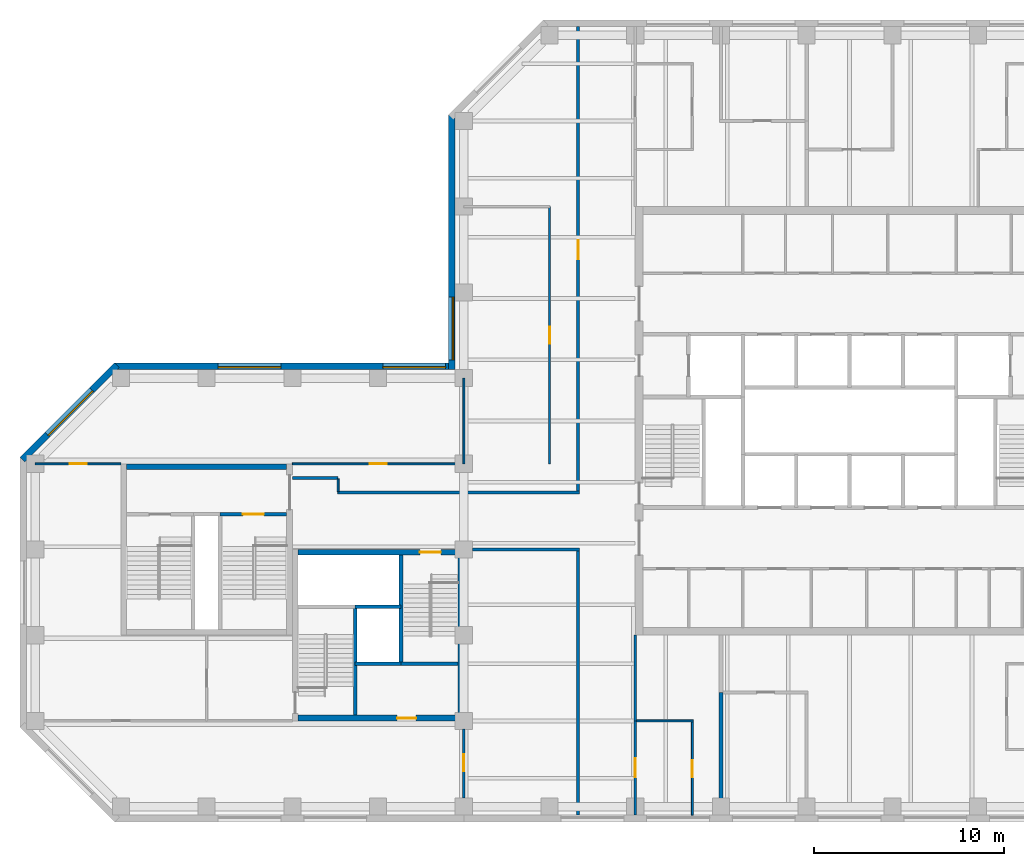
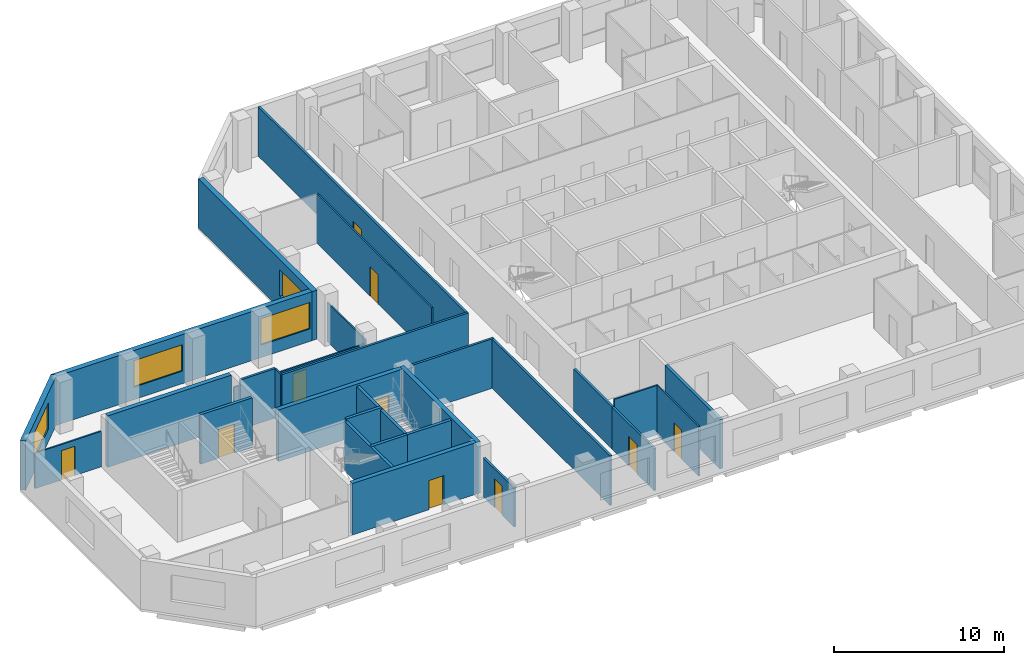
# One storey, part 3 of 9: 29 walls, 10 doors, 4 windows, 14 openings.
"""IFC4 building model written with IfcOpenShell, lengths in metres."""

from ifc_helpers import new_model, si_unit, direction, frame, frame_2d, origin, place, context, subcontext, project, spatial, rectangle, extrude, material, layer, layer_set, constituent, constituent_set, type_object, element, fill, save


model = new_model("IFC4")

# Units and contexts
model_context = context("Model", 3, precision=1e-05, world=origin(), true_north=direction((0.0, 1.0)))
body_context = subcontext(model_context, "Body", "Model", "MODEL_VIEW")
ifc_project = project(units=[si_unit("LENGTHUNIT", "METRE"), si_unit("AREAUNIT", "SQUARE_METRE"), si_unit("VOLUMEUNIT", "CUBIC_METRE"), si_unit("PLANEANGLEUNIT", "RADIAN"), si_unit("MASSUNIT", "GRAM", prefix="KILO")], contexts=[model_context])

# Site, building, storey
site_placement = place(None, origin())
site = spatial("IfcSite", under=ifc_project, at=site_placement, CompositionType="ELEMENT")
building_placement = place(site_placement, origin())
building = spatial("IfcBuilding", under=site, at=building_placement, Name="Quoin Convention Tower", CompositionType="ELEMENT")
storey_placement = place(building_placement, frame((0.0, 0.0, 226.699951171875)))
storey = spatial("IfcBuildingStorey", under=building, at=storey_placement, Name="L59", CompositionType="ELEMENT", Elevation=226.699951171875)

# Wall, opening, window
ifc_material_1 = material(Name="Brick masonry", Category="masonry")
ifc_layer_1 = layer(ifc_material_1, 0.35009765625)
ifc_layer_set_1 = layer_set([ifc_layer_1], Name="Brick masonry")
wall_type_1 = type_object("IfcWallType", Name="Brick facade wall", PredefinedType="STANDARD", material=ifc_layer_set_1)
wall_1_placement = place(storey_placement, frame((35.375, 76.831298828125, 0.0), z_axis=(0.0, 0.0, 1.0), x_axis=(0.0, -1.0, 0.0)))
wall_1 = element("IfcWall", 1, at=wall_1_placement, inside=storey, type_object=wall_type_1, Name="fw-L59-36000_76500", PredefinedType="STANDARD", context=body_context, shape_type="SweptSolid", body=[
    extrude(rectangle(XDim=13.38134765625, YDim=0.35009765625, at=frame_2d((6.690673828125, 0.0))), origin(), (0.0, 0.0, 1.0), 3.525146484375),
])
opening_1_placement = place(wall_1_placement, frame((9.581298828125, 0.0, 0.89990234375)))
opening_1 = element("IfcOpeningElement", 2, at=opening_1_placement, cuts=wall_1, Name="Opening W-02", PredefinedType="OPENING", context=body_context, shape_type="SweptSolid", body=[
    extrude(rectangle(XDim=3.300048828125, YDim=1.89990234375, at=frame_2d((1.64990234375, 0.949951171875))), frame((0.0, 0.18505859375, 0.0), z_axis=(0.0, -1.0, 0.0), x_axis=(1.0, 0.0, 0.0)), (0.0, 0.0, 1.0), 0.3701171875),
])
ifc_material_2 = material(Name="Aluminium", Category="aluminium")
ifc_constituent_1 = constituent(ifc_material_2, Name="Frame")
ifc_material_3 = material(Name="Insulated glass", Category="glass")
ifc_constituent_2 = constituent(ifc_material_3, Name="Glazing")
ifc_constituent_set = constituent_set(constituents=[ifc_constituent_1, ifc_constituent_2], Name="Aluminium")
window_type = type_object("IfcWindowType", Name="Office window", PartitioningType="DOUBLE_PANEL_VERTICAL", PredefinedType="WINDOW", material=ifc_constituent_set)
window_1_placement = place(opening_1_placement, origin())
window_1 = element("IfcWindow", 3, at=window_1_placement, inside=storey, type_object=window_type, Name="win-L59-35375_65250", OverallHeight=1.89990234375, OverallWidth=3.300048828125, PartitioningType="SINGLE_PANEL", PredefinedType="WINDOW", context=body_context, shape_type="SweptSolid", body=[
    extrude(rectangle(XDim=3.300048828125, YDim=1.89990234375, at=frame_2d((1.64990234375, 0.949951171875))), frame((0.0, 0.0849609375, 0.0), z_axis=(0.0, -1.0, 0.0), x_axis=(1.0, 0.0, 0.0)), (0.0, 0.0, 1.0), 0.06005859375),
])
fill(opening_1, window_1)

# Wall, openings, windows
wall_2_placement = place(storey_placement, frame((35.550048828125, 63.625, 0.0), z_axis=(0.0, 0.0, 1.0), x_axis=(-1.0, 0.0, 0.0)))
wall_2 = element("IfcWall", 4, at=wall_2_placement, inside=storey, type_object=wall_type_1, Name="fw-L59-36000_63000", PredefinedType="STANDARD", context=body_context, shape_type="SweptSolid", body=[
    extrude(rectangle(XDim=17.88134765625, YDim=0.35009765625, at=frame_2d((8.940673828125, 0.0))), origin(), (0.0, 0.0, 1.0), 3.525146484375),
])
opening_2_placement = place(wall_2_placement, frame((0.5, 0.0, 0.89990234375)))
opening_2 = element("IfcOpeningElement", 5, at=opening_2_placement, cuts=wall_2, Name="Opening W-02", PredefinedType="OPENING", context=body_context, shape_type="SweptSolid", body=[
    extrude(rectangle(XDim=3.300048828125, YDim=1.89990234375, at=frame_2d((1.64990234375, 0.949951171875))), frame((0.0, 0.18505859375, 0.0), z_axis=(0.0, -1.0, 0.0), x_axis=(1.0, 0.0, 0.0)), (0.0, 0.0, 1.0), 0.3701171875),
])
opening_3_placement = place(wall_2_placement, frame((9.14990234375, 0.0, 0.89990234375)))
opening_3 = element("IfcOpeningElement", 6, at=opening_3_placement, cuts=wall_2, Name="Opening W-02", PredefinedType="OPENING", context=body_context, shape_type="SweptSolid", body=[
    extrude(rectangle(XDim=3.300048828125, YDim=1.89990234375, at=frame_2d((1.64990234375, 0.949951171875))), frame((0.0, 0.18505859375, 0.0), z_axis=(0.0, -1.0, 0.0), x_axis=(1.0, 0.0, 0.0)), (0.0, 0.0, 1.0), 0.3701171875),
])
window_2_placement = place(opening_2_placement, origin())
window_2 = element("IfcWindow", 7, at=window_2_placement, inside=storey, type_object=window_type, Name="win-L59-33750_63625", OverallHeight=1.89990234375, OverallWidth=3.300048828125, PartitioningType="SINGLE_PANEL", PredefinedType="WINDOW", context=body_context, shape_type="SweptSolid", body=[
    extrude(rectangle(XDim=3.300048828125, YDim=1.89990234375, at=frame_2d((1.64990234375, 0.949951171875))), frame((0.0, 0.0849609375, 0.0), z_axis=(0.0, -1.0, 0.0), x_axis=(1.0, 0.0, 0.0)), (0.0, 0.0, 1.0), 0.06005859375),
])
fill(opening_2, window_2)
window_3_placement = place(opening_3_placement, origin())
window_3 = element("IfcWindow", 8, at=window_3_placement, inside=storey, type_object=window_type, Name="win-L59-24750_63625", OverallHeight=1.89990234375, OverallWidth=3.300048828125, PartitioningType="SINGLE_PANEL", PredefinedType="WINDOW", context=body_context, shape_type="SweptSolid", body=[
    extrude(rectangle(XDim=3.300048828125, YDim=1.89990234375, at=frame_2d((1.64990234375, 0.949951171875))), frame((0.0, 0.0849609375, 0.0), z_axis=(0.0, -1.0, 0.0), x_axis=(1.0, 0.0, 0.0)), (0.0, 0.0, 1.0), 0.06005859375),
])
fill(opening_3, window_3)

# Wall, opening, window
wall_3_placement = place(storey_placement, frame((17.79248046875, 63.67626953125, 0.0), z_axis=(0.0, 0.0, 1.0), x_axis=(-0.707106781187, -0.707106781187, 0.0)))
wall_3 = element("IfcWall", 9, at=wall_3_placement, inside=storey, type_object=wall_type_1, Name="fw-L59-18000_63000", PredefinedType="STANDARD", context=body_context, shape_type="SweptSolid", body=[
    extrude(rectangle(XDim=7.02685546875, YDim=0.35009765625, at=frame_2d((3.513427734375, 0.0))), origin(), (0.0, 0.0, 1.0), 3.525146484375),
])
opening_4_placement = place(wall_3_placement, frame((1.86328125, 0.0, 0.89990234375)))
opening_4 = element("IfcOpeningElement", 10, at=opening_4_placement, cuts=wall_3, Name="Opening W-02", PredefinedType="OPENING", context=body_context, shape_type="SweptSolid", body=[
    extrude(rectangle(XDim=3.300048828125, YDim=1.89990234375, at=frame_2d((1.64990234375, 0.949951171875))), frame((0.0, 0.18505859375, 0.0), z_axis=(0.0, -1.0, 0.0), x_axis=(1.0, 0.0, 0.0)), (0.0, 0.0, 1.0), 0.3701171875),
])
window_4_placement = place(opening_4_placement, origin())
window_4 = element("IfcWindow", 11, at=window_4_placement, inside=storey, type_object=window_type, Name="win-L59-15308_61192", OverallHeight=1.89990234375, OverallWidth=3.300048828125, PartitioningType="SINGLE_PANEL", PredefinedType="WINDOW", context=body_context, shape_type="SweptSolid", body=[
    extrude(rectangle(XDim=3.300048828125, YDim=1.89990234375, at=frame_2d((1.64990234375, 0.949951171875))), frame((0.0, 0.0849609375, 0.0), z_axis=(0.0, -1.0, 0.0), x_axis=(1.0, 0.0, 0.0)), (0.0, 0.0, 1.0), 0.06005859375),
])
fill(opening_4, window_4)

# Walls
ifc_material_4 = material(Name="Concrete C50", Category="concrete")
ifc_layer_2 = layer(ifc_material_4, 0.199951171875)
ifc_layer_set_2 = layer_set([ifc_layer_2], Name="Concrete C50")
wall_type_2 = type_object("IfcWallType", Name="Core shaft wall", PredefinedType="SOLIDWALL", material=ifc_layer_set_2)
wall_4_placement = place(storey_placement, frame((30.300048828125, 48.0, 0.0), z_axis=(0.0, 0.0, 1.0), x_axis=(1.0, 0.0, 0.0)))
element("IfcWall", 12, at=wall_4_placement, inside=storey, type_object=wall_type_2, Name="cr-P2-L59-h3000_3300", PredefinedType="SOLIDWALL", context=body_context, shape_type="SweptSolid", body=[
    extrude(rectangle(XDim=2.39990234375, YDim=0.199951171875, at=frame_2d((1.199951171875, 0.0))), origin(), (0.0, 0.0, 1.0), 3.550048828125),
])
wall_5_placement = place(storey_placement, frame((32.699951171875, 48.0, 0.0), z_axis=(0.0, 0.0, 1.0), x_axis=(1.0, 0.0, 0.0)))
element("IfcWall", 13, at=wall_5_placement, inside=storey, type_object=wall_type_2, Name="cr-P2-L59-h3000_5700", PredefinedType="SOLIDWALL", context=body_context, shape_type="SweptSolid", body=[
    extrude(rectangle(XDim=3.0, YDim=0.199951171875, at=frame_2d((1.5, 0.0))), origin(), (0.0, 0.0, 1.0), 3.550048828125),
])
for number, where, z_axis, x_axis, name in (
    (14, (30.300048828125, 45.300048828125, 0.0), (0.0, 0.0, 1.0), (0.0, 1.0, 0.0), "cr-P2-L59-v3300_300"),
    (15, (32.699951171875, 48.0, 0.0), (0.0, 0.0, 1.0), (0.0, 1.0, 0.0), "cr-P2-L59-v5700_3000"),
):
    element("IfcWall", number, at=place(storey_placement, frame(where, z_axis=z_axis, x_axis=x_axis)), inside=storey, type_object=wall_type_2, Name=name, PredefinedType="SOLIDWALL", context=body_context, shape_type="SweptSolid", body=[
        extrude(rectangle(XDim=5.699951171875, YDim=0.199951171875, at=frame_2d((2.85009765625, 0.0))), origin(), (0.0, 0.0, 1.0), 3.550048828125),
    ])

# Wall, opening, door
wall_6_placement = place(storey_placement, frame((23.199951171875, 55.85009765625, 0.0), z_axis=(0.0, 0.0, 1.0), x_axis=(1.0, 0.0, 0.0)))
wall_6 = element("IfcWall", 16, at=wall_6_placement, inside=storey, type_object=wall_type_2, Name="cr-P6-L59-h6350_5200", PredefinedType="SOLIDWALL", context=body_context, shape_type="SweptSolid", body=[
    extrude(rectangle(XDim=3.5, YDim=0.199951171875, at=frame_2d((1.75, 0.0))), origin(), (0.0, 0.0, 1.0), 3.550048828125),
])
opening_5_placement = place(wall_6_placement, frame((1.199951171875, 0.0, 0.0)))
opening_5 = element("IfcOpeningElement", 17, at=opening_5_placement, cuts=wall_6, Name="Opening SD12", PredefinedType="OPENING", context=body_context, shape_type="SweptSolid", body=[
    extrude(rectangle(XDim=1.10009765625, YDim=2.10009765625, at=frame_2d((0.550048828125, 1.050048828125))), frame((0.0, 0.10986328125, 0.0), z_axis=(0.0, -1.0, 0.0), x_axis=(1.0, 0.0, 0.0)), (0.0, 0.0, 1.0), 0.219970703125),
])
ifc_material_5 = material(Name="Steel door leaf", Category="steel")
door_type_1 = type_object("IfcDoorType", Name="Stair door 1100 x 2100", OperationType="SINGLE_SWING_RIGHT", PredefinedType="DOOR", material=ifc_material_5)
door_1_placement = place(opening_5_placement, origin())
door_1 = element("IfcDoor", 18, at=door_1_placement, inside=storey, type_object=door_type_1, Name="cd-P6-L59-SB-R2-SD12", OperationType="SINGLE_SWING_RIGHT", OverallHeight=2.10009765625, OverallWidth=1.10009765625, PredefinedType="DOOR", context=body_context, shape_type="SweptSolid", body=[
    extrude(rectangle(XDim=1.10009765625, YDim=2.10009765625, at=frame_2d((0.550048828125, 1.050048828125))), frame((0.0, 0.02490234375, 0.0), z_axis=(0.0, -1.0, 0.0), x_axis=(1.0, 0.0, 0.0)), (0.0, 0.0, 1.0), 0.050048828125),
])
fill(opening_5, door_1)

# Walls
ifc_layer_3 = layer(ifc_material_4, 0.199951171875)
ifc_layer_set_3 = layer_set([ifc_layer_3], Name="Concrete C50")
wall_type_3 = type_object("IfcWallType", Name="Core shaft wall to the floor level over", PredefinedType="SOLIDWALL", material=ifc_layer_set_3)
wall_7_placement = place(storey_placement, frame((30.300048828125, 51.0, 0.0), z_axis=(0.0, 0.0, 1.0), x_axis=(1.0, 0.0, 0.0)))
element("IfcWall", 19, at=wall_7_placement, inside=storey, type_object=wall_type_3, Name="cr-P2-L59-h6000_3300", PredefinedType="SOLIDWALL", context=body_context, shape_type="SweptSolid", body=[
    extrude(rectangle(XDim=2.39990234375, YDim=0.199951171875, at=frame_2d((1.199951171875, 0.0))), origin(), (0.0, 0.0, 1.0), 3.699951171875),
])
ifc_material_6 = material(Name="Plasterboard")
ifc_layer_4 = layer(ifc_material_6, 0.012451171875, Name="Finish")
ifc_material_7 = material(Name="Steel stud framing", Category="steel")
ifc_layer_5 = layer(ifc_material_7, 0.125, Name="Structure")
ifc_layer_6 = layer(ifc_material_6, 0.012451171875, Name="Finish")
ifc_layer_set_4 = layer_set([ifc_layer_4, ifc_layer_5, ifc_layer_6], Name="Steel stud framing")
wall_type_4 = type_object("IfcWallType", Name="Corridor wall 150", PredefinedType="PARTITIONING", material=ifc_layer_set_4)
wall_8_placement = place(storey_placement, frame((36.449951171875, 54.0, 0.0), z_axis=(0.0, 0.0, 1.0), x_axis=(1.0, 0.0, 0.0)))
element("IfcWall", 20, at=wall_8_placement, inside=storey, type_object=wall_type_4, Name="pw-L59-014", PredefinedType="PARTITIONING", context=body_context, shape_type="SweptSolid", body=[
    extrude(rectangle(XDim=5.625, YDim=0.14990234375, at=frame_2d((2.8125, 0.0))), origin(), (0.0, 0.0, 1.0), 3.550048828125),
])
wall_9_placement = place(storey_placement, frame((29.3798828125, 57.0, 0.0), z_axis=(0.0, 0.0, 1.0), x_axis=(1.0, 0.0, 0.0)))
element("IfcWall", 21, at=wall_9_placement, inside=storey, type_object=wall_type_4, Name="pw-L59-015", PredefinedType="PARTITIONING", context=body_context, shape_type="SweptSolid", body=[
    extrude(rectangle(XDim=12.695068359375, YDim=0.14990234375, at=frame_2d((6.34765625, 0.0))), origin(), (0.0, 0.0, 1.0), 3.550048828125),
])
wall_10_placement = place(storey_placement, frame((42.0, 40.050048828125, 0.0), z_axis=(0.0, 0.0, 1.0), x_axis=(0.0, 1.0, 0.0)))
element("IfcWall", 22, at=wall_10_placement, inside=storey, type_object=wall_type_4, Name="pw-L59-035", PredefinedType="PARTITIONING", context=body_context, shape_type="SweptSolid", body=[
    extrude(rectangle(XDim=13.875, YDim=0.14990234375, at=frame_2d((6.9375, 0.0))), origin(), (0.0, 0.0, 1.0), 3.550048828125),
])

# Wall, opening, door
wall_11_placement = place(storey_placement, frame((42.0, 57.074951171875, 0.0), z_axis=(0.0, 0.0, 1.0), x_axis=(0.0, 1.0, 0.0)))
wall_11 = element("IfcWall", 23, at=wall_11_placement, inside=storey, type_object=wall_type_4, Name="pw-L59-057", PredefinedType="PARTITIONING", context=body_context, shape_type="SweptSolid", body=[
    extrude(rectangle(XDim=24.375, YDim=0.14990234375, at=frame_2d((12.1875, 0.0))), origin(), (0.0, 0.0, 1.0), 3.550048828125),
])
opening_6_placement = place(wall_11_placement, frame((12.175048828125, 0.0, 0.0)))
opening_6 = element("IfcOpeningElement", 24, at=opening_6_placement, cuts=wall_11, Name="Opening DOH10-14", PredefinedType="OPENING", context=body_context, shape_type="SweptSolid", body=[
    extrude(rectangle(XDim=1.0, YDim=2.10009765625, at=frame_2d((0.5, 1.050048828125))), frame((0.0, 0.0849609375, 0.0), z_axis=(0.0, -1.0, 0.0), x_axis=(1.0, 0.0, 0.0)), (0.0, 0.0, 1.0), 0.169921875),
])
door_type_2 = type_object("IfcDoorType", Name="Tenancy entrance door 1000 x 2100", OperationType="DOUBLE_DOOR_SINGLE_SWING", PredefinedType="DOOR", material=ifc_material_5)
door_2_placement = place(opening_6_placement, origin())
door_2 = element("IfcDoor", 25, at=door_2_placement, inside=storey, type_object=door_type_2, Name="dr-L59-w01", OperationType="DOUBLE_DOOR_SINGLE_SWING", OverallHeight=2.10009765625, OverallWidth=1.0, PredefinedType="DOOR", context=body_context, shape_type="SweptSolid", body=[
    extrude(rectangle(XDim=1.0, YDim=2.10009765625, at=frame_2d((0.5, 1.050048828125))), frame((0.0, 0.02490234375, 0.0), z_axis=(0.0, -1.0, 0.0), x_axis=(1.0, 0.0, 0.0)), (0.0, 0.0, 1.0), 0.050048828125),
])
fill(opening_6, door_2)

# Wall
wall_12_placement = place(storey_placement, frame((27.0, 57.75, 0.0), z_axis=(0.0, 0.0, 1.0), x_axis=(1.0, 0.0, 0.0)))
element("IfcWall", 26, at=wall_12_placement, inside=storey, type_object=wall_type_4, Name="pw-L59-w09", PredefinedType="PARTITIONING", context=body_context, shape_type="SweptSolid", body=[
    extrude(rectangle(XDim=2.39990234375, YDim=0.14990234375, at=frame_2d((1.199951171875, 0.0))), origin(), (0.0, 0.0, 1.0), 3.550048828125),
])

# Wall, opening, door
ifc_layer_7 = layer(ifc_material_6, 0.012451171875, Name="Finish")
ifc_layer_8 = layer(ifc_material_7, 0.125, Name="Structure")
ifc_layer_9 = layer(ifc_material_6, 0.012451171875, Name="Finish")
ifc_layer_set_5 = layer_set([ifc_layer_7, ifc_layer_8, ifc_layer_9], Name="Steel stud framing")
wall_type_5 = type_object("IfcWallType", Name="Corridor wall 150 under beam 528", PredefinedType="PARTITIONING", material=ifc_layer_set_5)
wall_13_placement = place(storey_placement, frame((45.0, 40.050048828125, 0.0), z_axis=(0.0, 0.0, 1.0), x_axis=(0.0, 1.0, 0.0)))
wall_13 = element("IfcWall", 27, at=wall_13_placement, inside=storey, type_object=wall_type_5, Name="pw-L59-036", PredefinedType="PARTITIONING", context=body_context, shape_type="SweptSolid", body=[
    extrude(rectangle(XDim=4.949951171875, YDim=0.14990234375, at=frame_2d((2.47509765625, 0.0))), origin(), (0.0, 0.0, 1.0), 3.02197265625),
])
opening_7_placement = place(wall_13_placement, frame((2.0, 0.0, 0.0)))
opening_7 = element("IfcOpeningElement", 28, at=opening_7_placement, cuts=wall_13, Name="Opening DOH10-08", PredefinedType="OPENING", context=body_context, shape_type="SweptSolid", body=[
    extrude(rectangle(XDim=1.0, YDim=2.10009765625, at=frame_2d((0.5, 1.050048828125))), frame((0.0, 0.0849609375, 0.0), z_axis=(0.0, -1.0, 0.0), x_axis=(1.0, 0.0, 0.0)), (0.0, 0.0, 1.0), 0.169921875),
])
door_3_placement = place(opening_7_placement, frame((1.0, 0.0, 0.0), z_axis=(0.0, 0.0, 1.0), x_axis=(-1.0, 0.0, 0.0)))
door_3 = element("IfcDoor", 29, at=door_3_placement, inside=storey, type_object=door_type_2, Name="dr-L59-10", OperationType="DOUBLE_DOOR_SINGLE_SWING", OverallHeight=2.10009765625, OverallWidth=1.0, PredefinedType="DOOR", context=body_context, shape_type="SweptSolid", body=[
    extrude(rectangle(XDim=1.0, YDim=2.10009765625, at=frame_2d((0.5, 1.050048828125))), frame((0.0, 0.02490234375, 0.0), z_axis=(0.0, -1.0, 0.0), x_axis=(1.0, 0.0, 0.0)), (0.0, 0.0, 1.0), 0.050048828125),
])
fill(opening_7, door_3)

# Wall
wall_14_placement = place(storey_placement, frame((45.0, 45.0, 0.0), z_axis=(0.0, 0.0, 1.0), x_axis=(0.0, 1.0, 0.0)))
element("IfcWall", 30, at=wall_14_placement, inside=storey, type_object=wall_type_5, Name="pw-L59-047", PredefinedType="PARTITIONING", context=body_context, shape_type="SweptSolid", body=[
    extrude(rectangle(XDim=4.5, YDim=0.14990234375, at=frame_2d((2.25, 0.0))), origin(), (0.0, 0.0, 1.0), 3.02197265625),
])

# Wall, opening, door
ifc_layer_10 = layer(ifc_material_6, 0.012451171875, Name="Finish")
ifc_layer_11 = layer(ifc_material_7, 0.125, Name="Structure")
ifc_layer_12 = layer(ifc_material_6, 0.012451171875, Name="Finish")
ifc_layer_set_6 = layer_set([ifc_layer_10, ifc_layer_11, ifc_layer_12], Name="Steel stud framing")
wall_type_6 = type_object("IfcWallType", Name="Corridor wall 150 under beam 750", PredefinedType="PARTITIONING", material=ifc_layer_set_6)
wall_15_placement = place(storey_placement, frame((36.0, 40.949951171875, 0.0), z_axis=(0.0, 0.0, 1.0), x_axis=(0.0, 1.0, 0.0)))
wall_15 = element("IfcWall", 31, at=wall_15_placement, inside=storey, type_object=wall_type_6, Name="pw-L59-042", PredefinedType="PARTITIONING", context=body_context, shape_type="SweptSolid", body=[
    extrude(rectangle(XDim=3.630126953125, YDim=0.14990234375, at=frame_2d((1.81494140625, 0.0))), origin(), (0.0, 0.0, 1.0), 2.800048828125),
])
opening_8_placement = place(wall_15_placement, frame((1.39990234375, 0.0, 0.0)))
opening_8 = element("IfcOpeningElement", 32, at=opening_8_placement, cuts=wall_15, Name="Opening DOH10-10", PredefinedType="OPENING", context=body_context, shape_type="SweptSolid", body=[
    extrude(rectangle(XDim=0.89990234375, YDim=2.10009765625, at=frame_2d((0.449951171875, 1.050048828125))), frame((0.0, 0.0849609375, 0.0), z_axis=(0.0, -1.0, 0.0), x_axis=(1.0, 0.0, 0.0)), (0.0, 0.0, 1.0), 0.169921875),
])
door_type_3 = type_object("IfcDoorType", Name="Office door 900 x 2100", OperationType="SINGLE_SWING_RIGHT", PredefinedType="DOOR", material=ifc_material_5)
door_4_placement = place(opening_8_placement, origin())
door_4 = element("IfcDoor", 33, at=door_4_placement, inside=storey, type_object=door_type_3, Name="dr-L59-01", OperationType="SINGLE_SWING_RIGHT", OverallHeight=2.10009765625, OverallWidth=0.89990234375, PredefinedType="DOOR", context=body_context, shape_type="SweptSolid", body=[
    extrude(rectangle(XDim=0.89990234375, YDim=2.10009765625, at=frame_2d((0.449951171875, 1.050048828125))), frame((0.0, 0.02490234375, 0.0), z_axis=(0.0, -1.0, 0.0), x_axis=(1.0, 0.0, 0.0)), (0.0, 0.0, 1.0), 0.050048828125),
])
fill(opening_8, door_4)

ifc_layer_13 = layer(ifc_material_4, 0.300048828125)
ifc_layer_set_7 = layer_set([ifc_layer_13], Name="Concrete C50")
wall_type_7 = type_object("IfcWallType", Name="RC CORE WALL 300 C50", PredefinedType="SHEAR", material=ifc_layer_set_7)
wall_16_placement = place(storey_placement, frame((27.300048828125, 45.14990234375, 0.0), z_axis=(0.0, 0.0, 1.0), x_axis=(1.0, 0.0, 0.0)))
wall_16 = element("IfcWall", 34, at=wall_16_placement, inside=storey, type_object=wall_type_7, Name="cwl-P2-L59-S", PredefinedType="SHEAR", context=body_context, shape_type="SweptSolid", body=[
    extrude(rectangle(XDim=8.39990234375, YDim=0.300048828125, at=frame_2d((4.199951171875, 0.0))), origin(), (0.0, 0.0, 1.0), 3.699951171875),
])
opening_9_placement = place(wall_16_placement, frame((5.199951171875, 0.0, 0.0)))
opening_9 = element("IfcOpeningElement", 35, at=opening_9_placement, cuts=wall_16, Name="Opening DCV2-41", PredefinedType="OPENING", context=body_context, shape_type="SweptSolid", body=[
    extrude(rectangle(XDim=1.0, YDim=2.10009765625, at=frame_2d((0.5, 1.050048828125))), frame((0.0, 0.159912109375, 0.0), z_axis=(0.0, -1.0, 0.0), x_axis=(1.0, 0.0, 0.0)), (0.0, 0.0, 1.0), 0.320068359375),
])
door_type_4 = type_object("IfcDoorType", Name="Service door 1000 x 2100", OperationType="SINGLE_SWING_LEFT", PredefinedType="DOOR", material=ifc_material_5)
door_5_placement = place(opening_9_placement, frame((1.0, 0.0, 0.0), z_axis=(0.0, 0.0, 1.0), x_axis=(-1.0, 0.0, 0.0)))
door_5 = element("IfcDoor", 36, at=door_5_placement, inside=storey, type_object=door_type_4, Name="cd-P2-L59-R2-S", OperationType="SINGLE_SWING_LEFT", OverallHeight=2.10009765625, OverallWidth=1.0, PredefinedType="DOOR", context=body_context, shape_type="SweptSolid", body=[
    extrude(rectangle(XDim=1.0, YDim=2.10009765625, at=frame_2d((0.5, 1.050048828125))), frame((0.0, 0.02490234375, 0.0), z_axis=(0.0, -1.0, 0.0), x_axis=(1.0, 0.0, 0.0)), (0.0, 0.0, 1.0), 0.050048828125),
])
fill(opening_9, door_5)

wall_17_placement = place(storey_placement, frame((27.300048828125, 53.85009765625, 0.0), z_axis=(0.0, 0.0, 1.0), x_axis=(1.0, 0.0, 0.0)))
wall_17 = element("IfcWall", 37, at=wall_17_placement, inside=storey, type_object=wall_type_7, Name="cwl-P2-L59-N", PredefinedType="SHEAR", context=body_context, shape_type="SweptSolid", body=[
    extrude(rectangle(XDim=8.39990234375, YDim=0.300048828125, at=frame_2d((4.199951171875, 0.0))), origin(), (0.0, 0.0, 1.0), 3.699951171875),
])
opening_10_placement = place(wall_17_placement, frame((6.39990234375, 0.0, 0.0)))
opening_10 = element("IfcOpeningElement", 38, at=opening_10_placement, cuts=wall_17, Name="Opening SD4", PredefinedType="OPENING", context=body_context, shape_type="SweptSolid", body=[
    extrude(rectangle(XDim=1.10009765625, YDim=2.10009765625, at=frame_2d((0.550048828125, 1.050048828125))), frame((0.0, 0.159912109375, 0.0), z_axis=(0.0, -1.0, 0.0), x_axis=(1.0, 0.0, 0.0)), (0.0, 0.0, 1.0), 0.320068359375),
])
door_6_placement = place(opening_10_placement, frame((1.10009765625, 0.0, 0.0), z_axis=(0.0, 0.0, 1.0), x_axis=(-1.0, 0.0, 0.0)))
door_6 = element("IfcDoor", 39, at=door_6_placement, inside=storey, type_object=door_type_1, Name="cd-P2-L59-SB-N", OperationType="SINGLE_SWING_LEFT", OverallHeight=2.10009765625, OverallWidth=1.10009765625, PredefinedType="DOOR", context=body_context, shape_type="SweptSolid", body=[
    extrude(rectangle(XDim=1.10009765625, YDim=2.10009765625, at=frame_2d((0.550048828125, 1.050048828125))), frame((0.0, 0.02490234375, 0.0), z_axis=(0.0, -1.0, 0.0), x_axis=(1.0, 0.0, 0.0)), (0.0, 0.0, 1.0), 0.050048828125),
])
fill(opening_10, door_6)

# Walls
wall_18_placement = place(storey_placement, frame((35.85009765625, 45.0, 0.0), z_axis=(0.0, 0.0, 1.0), x_axis=(0.0, 1.0, 0.0)))
element("IfcWall", 40, at=wall_18_placement, inside=storey, type_object=wall_type_7, Name="cwl-P2-L59-E", PredefinedType="SHEAR", context=body_context, shape_type="SweptSolid", body=[
    extrude(rectangle(XDim=9.0, YDim=0.300048828125, at=frame_2d((4.5, 0.0))), origin(), (0.0, 0.0, 1.0), 3.699951171875),
])
wall_19_placement = place(storey_placement, frame((18.300048828125, 58.35009765625, 0.0), z_axis=(0.0, 0.0, 1.0), x_axis=(1.0, 0.0, 0.0)))
element("IfcWall", 41, at=wall_19_placement, inside=storey, type_object=wall_type_7, Name="cwl-P6-L59-N", PredefinedType="SHEAR", context=body_context, shape_type="SweptSolid", body=[
    extrude(rectangle(XDim=8.39990234375, YDim=0.300048828125, at=frame_2d((4.199951171875, 0.0))), origin(), (0.0, 0.0, 1.0), 3.699951171875),
])
ifc_layer_14 = layer(ifc_material_6, 0.012451171875, Name="Finish")
ifc_layer_15 = layer(ifc_material_7, 0.074951171875, Name="Structure")
ifc_layer_16 = layer(ifc_material_6, 0.012451171875, Name="Finish")
ifc_layer_set_8 = layer_set([ifc_layer_14, ifc_layer_15, ifc_layer_16], Name="Steel stud framing")
wall_type_8 = type_object("IfcWallType", Name="Stud partition 100", PredefinedType="PARTITIONING", material=ifc_layer_set_8)
wall_20_placement = place(storey_placement, frame((45.074951171875, 45.0, 0.0), z_axis=(0.0, 0.0, 1.0), x_axis=(1.0, 0.0, 0.0)))
element("IfcWall", 42, at=wall_20_placement, inside=storey, type_object=wall_type_8, Name="pw-L59-005", PredefinedType="PARTITIONING", context=body_context, shape_type="SweptSolid", body=[
    extrude(rectangle(XDim=2.97509765625, YDim=0.10009765625, at=frame_2d((1.487548828125, 0.0))), origin(), (0.0, 0.0, 1.0), 3.550048828125),
])

# Wall, opening, door
wall_21_placement = place(storey_placement, frame((48.0, 40.050048828125, 0.0), z_axis=(0.0, 0.0, 1.0), x_axis=(0.0, 1.0, 0.0)))
wall_21 = element("IfcWall", 43, at=wall_21_placement, inside=storey, type_object=wall_type_8, Name="pw-L59-037", PredefinedType="PARTITIONING", context=body_context, shape_type="SweptSolid", body=[
    extrude(rectangle(XDim=4.89990234375, YDim=0.10009765625, at=frame_2d((2.449951171875, 0.0))), origin(), (0.0, 0.0, 1.0), 3.550048828125),
])
opening_11_placement = place(wall_21_placement, frame((2.0, 0.0, 0.0)))
opening_11 = element("IfcOpeningElement", 44, at=opening_11_placement, cuts=wall_21, Name="Opening DOH10-09", PredefinedType="OPENING", context=body_context, shape_type="SweptSolid", body=[
    extrude(rectangle(XDim=0.89990234375, YDim=2.10009765625, at=frame_2d((0.449951171875, 1.050048828125))), frame((0.0, 0.06005859375, 0.0), z_axis=(0.0, -1.0, 0.0), x_axis=(1.0, 0.0, 0.0)), (0.0, 0.0, 1.0), 0.1201171875),
])
door_7_placement = place(opening_11_placement, frame((0.89990234375, 0.0, 0.0), z_axis=(0.0, 0.0, 1.0), x_axis=(-1.0, 0.0, 0.0)))
door_7 = element("IfcDoor", 45, at=door_7_placement, inside=storey, type_object=door_type_3, Name="dr-L59-11", OperationType="SINGLE_SWING_LEFT", OverallHeight=2.10009765625, OverallWidth=0.89990234375, PredefinedType="DOOR", context=body_context, shape_type="SweptSolid", body=[
    extrude(rectangle(XDim=0.89990234375, YDim=2.10009765625, at=frame_2d((0.449951171875, 1.050048828125))), frame((0.0, 0.02490234375, 0.0), z_axis=(0.0, -1.0, 0.0), x_axis=(1.0, 0.0, 0.0)), (0.0, 0.0, 1.0), 0.050048828125),
])
fill(opening_11, door_7)

wall_22_placement = place(storey_placement, frame((40.5, 72.0, 0.0), z_axis=(0.0, 0.0, 1.0), x_axis=(0.0, -1.0, 0.0)))
wall_22 = element("IfcWall", 46, at=wall_22_placement, inside=storey, type_object=wall_type_8, Name="pw-L59-w02", PredefinedType="PARTITIONING", context=body_context, shape_type="SweptSolid", body=[
    extrude(rectangle(XDim=13.5, YDim=0.10009765625, at=frame_2d((6.75, 0.0))), origin(), (0.0, 0.0, 1.0), 3.550048828125),
])
opening_12_placement = place(wall_22_placement, frame((6.300048828125, 0.0, 0.0)))
opening_12 = element("IfcOpeningElement", 47, at=opening_12_placement, cuts=wall_22, Name="Opening DOH10-24", PredefinedType="OPENING", context=body_context, shape_type="SweptSolid", body=[
    extrude(rectangle(XDim=0.89990234375, YDim=2.10009765625, at=frame_2d((0.449951171875, 1.050048828125))), frame((0.0, 0.06005859375, 0.0), z_axis=(0.0, -1.0, 0.0), x_axis=(1.0, 0.0, 0.0)), (0.0, 0.0, 1.0), 0.1201171875),
])
door_8_placement = place(opening_12_placement, frame((0.89990234375, 0.0, 0.0), z_axis=(0.0, 0.0, 1.0), x_axis=(-1.0, 0.0, 0.0)))
door_8 = element("IfcDoor", 48, at=door_8_placement, inside=storey, type_object=door_type_3, Name="dr-L59-w02", OperationType="SINGLE_SWING_RIGHT", OverallHeight=2.10009765625, OverallWidth=0.89990234375, PredefinedType="DOOR", context=body_context, shape_type="SweptSolid", body=[
    extrude(rectangle(XDim=0.89990234375, YDim=2.10009765625, at=frame_2d((0.449951171875, 1.050048828125))), frame((0.0, 0.02490234375, 0.0), z_axis=(0.0, -1.0, 0.0), x_axis=(1.0, 0.0, 0.0)), (0.0, 0.0, 1.0), 0.050048828125),
])
fill(opening_12, door_8)

# Wall
wall_23_placement = place(storey_placement, frame((29.39990234375, 57.715087890625, 0.0), z_axis=(0.0, 0.0, 1.0), x_axis=(0.0, -1.0, 0.0)))
element("IfcWall", 49, at=wall_23_placement, inside=storey, type_object=wall_type_8, Name="pw-L59-w10", PredefinedType="PARTITIONING", context=body_context, shape_type="SweptSolid", body=[
    extrude(rectangle(XDim=0.68017578125, YDim=0.10009765625, at=frame_2d((0.340087890625, 0.0))), origin(), (0.0, 0.0, 1.0), 3.550048828125),
])

# Wall, opening, door
ifc_layer_17 = layer(ifc_material_6, 0.012451171875, Name="Finish")
ifc_layer_18 = layer(ifc_material_7, 0.074951171875, Name="Structure")
ifc_layer_19 = layer(ifc_material_6, 0.012451171875, Name="Finish")
ifc_layer_set_9 = layer_set([ifc_layer_17, ifc_layer_18, ifc_layer_19], Name="Steel stud framing")
wall_type_9 = type_object("IfcWallType", Name="Stud partition 100 under beam 1000", PredefinedType="PARTITIONING", material=ifc_layer_set_9)
wall_24_placement = place(storey_placement, frame((36.0, 58.5, 0.0), z_axis=(0.0, 0.0, 1.0), x_axis=(-1.0, 0.0, 0.0)))
wall_24 = element("IfcWall", 50, at=wall_24_placement, inside=storey, type_object=wall_type_9, Name="pw-L59-w04", PredefinedType="PARTITIONING", context=body_context, shape_type="SweptSolid", body=[
    extrude(rectangle(XDim=9.0, YDim=0.10009765625, at=frame_2d((4.5, 0.0))), origin(), (0.0, 0.0, 1.0), 2.550048828125),
])
opening_13_placement = place(wall_24_placement, frame((4.050048828125, 0.0, 0.0)))
opening_13 = element("IfcOpeningElement", 51, at=opening_13_placement, cuts=wall_24, Name="Opening DOH10-25", PredefinedType="OPENING", context=body_context, shape_type="SweptSolid", body=[
    extrude(rectangle(XDim=0.89990234375, YDim=2.10009765625, at=frame_2d((0.449951171875, 1.050048828125))), frame((0.0, 0.06005859375, 0.0), z_axis=(0.0, -1.0, 0.0), x_axis=(1.0, 0.0, 0.0)), (0.0, 0.0, 1.0), 0.1201171875),
])
door_9_placement = place(opening_13_placement, frame((0.89990234375, 0.0, 0.0), z_axis=(0.0, 0.0, 1.0), x_axis=(-1.0, 0.0, 0.0)))
door_9 = element("IfcDoor", 52, at=door_9_placement, inside=storey, type_object=door_type_3, Name="dr-L59-w03", OperationType="SINGLE_SWING_RIGHT", OverallHeight=2.10009765625, OverallWidth=0.89990234375, PredefinedType="DOOR", context=body_context, shape_type="SweptSolid", body=[
    extrude(rectangle(XDim=0.89990234375, YDim=2.10009765625, at=frame_2d((0.449951171875, 1.050048828125))), frame((0.0, 0.02490234375, 0.0), z_axis=(0.0, -1.0, 0.0), x_axis=(1.0, 0.0, 0.0)), (0.0, 0.0, 1.0), 0.050048828125),
])
fill(opening_13, door_9)

wall_25_placement = place(storey_placement, frame((13.5, 58.5, 0.0), z_axis=(0.0, 0.0, 1.0), x_axis=(1.0, 0.0, 0.0)))
wall_25 = element("IfcWall", 53, at=wall_25_placement, inside=storey, type_object=wall_type_9, Name="pw-L59-w05", PredefinedType="PARTITIONING", context=body_context, shape_type="SweptSolid", body=[
    extrude(rectangle(XDim=4.5, YDim=0.10009765625, at=frame_2d((2.25, 0.0))), origin(), (0.0, 0.0, 1.0), 2.550048828125),
])
opening_14_placement = place(wall_25_placement, frame((1.800048828125, 0.0, 0.0)))
opening_14 = element("IfcOpeningElement", 54, at=opening_14_placement, cuts=wall_25, Name="Opening DOH10-26", PredefinedType="OPENING", context=body_context, shape_type="SweptSolid", body=[
    extrude(rectangle(XDim=0.89990234375, YDim=2.10009765625, at=frame_2d((0.449951171875, 1.050048828125))), frame((0.0, 0.06005859375, 0.0), z_axis=(0.0, -1.0, 0.0), x_axis=(1.0, 0.0, 0.0)), (0.0, 0.0, 1.0), 0.1201171875),
])
door_10_placement = place(opening_14_placement, origin())
door_10 = element("IfcDoor", 55, at=door_10_placement, inside=storey, type_object=door_type_3, Name="dr-L59-w04", OperationType="SINGLE_SWING_RIGHT", OverallHeight=2.10009765625, OverallWidth=0.89990234375, PredefinedType="DOOR", context=body_context, shape_type="SweptSolid", body=[
    extrude(rectangle(XDim=0.89990234375, YDim=2.10009765625, at=frame_2d((0.449951171875, 1.050048828125))), frame((0.0, 0.02490234375, 0.0), z_axis=(0.0, -1.0, 0.0), x_axis=(1.0, 0.0, 0.0)), (0.0, 0.0, 1.0), 0.050048828125),
])
fill(opening_14, door_10)

# Walls
ifc_layer_20 = layer(ifc_material_6, 0.012451171875, Name="Finish")
ifc_layer_21 = layer(ifc_material_7, 0.074951171875, Name="Structure")
ifc_layer_22 = layer(ifc_material_6, 0.012451171875, Name="Finish")
ifc_layer_set_10 = layer_set([ifc_layer_20, ifc_layer_21, ifc_layer_22], Name="Steel stud framing")
wall_type_10 = type_object("IfcWallType", Name="Stud partition 100 under beam 750", PredefinedType="PARTITIONING", material=ifc_layer_set_10)
wall_26_placement = place(storey_placement, frame((36.0, 63.0, 0.0), z_axis=(0.0, 0.0, 1.0), x_axis=(0.0, -1.0, 0.0)))
element("IfcWall", 56, at=wall_26_placement, inside=storey, type_object=wall_type_10, Name="pw-L59-w03", PredefinedType="PARTITIONING", context=body_context, shape_type="SweptSolid", body=[
    extrude(rectangle(XDim=4.5, YDim=0.10009765625, at=frame_2d((2.25, 0.0))), origin(), (0.0, 0.0, 1.0), 2.800048828125),
])
ifc_layer_23 = layer(ifc_material_6, 0.012451171875, Name="Finish")
ifc_layer_24 = layer(ifc_material_7, 0.175048828125, Name="Structure")
ifc_layer_25 = layer(ifc_material_6, 0.012451171875, Name="Finish")
ifc_layer_set_11 = layer_set([ifc_layer_23, ifc_layer_24, ifc_layer_25], Name="Steel stud framing")
wall_type_11 = type_object("IfcWallType", Name="Tenancy demising wall 200", PredefinedType="PARTITIONING", material=ifc_layer_set_11)
wall_27_placement = place(storey_placement, frame((49.5, 40.050048828125, 0.0), z_axis=(0.0, 0.0, 1.0), x_axis=(0.0, 1.0, 0.0)))
element("IfcWall", 57, at=wall_27_placement, inside=storey, type_object=wall_type_11, Name="pw-L59-038", PredefinedType="PARTITIONING", context=body_context, shape_type="SweptSolid", body=[
    extrude(rectangle(XDim=6.449951171875, YDim=0.199951171875, at=frame_2d((3.22509765625, 0.0))), origin(), (0.0, 0.0, 1.0), 3.550048828125),
])

save(model, "model.ifc")
